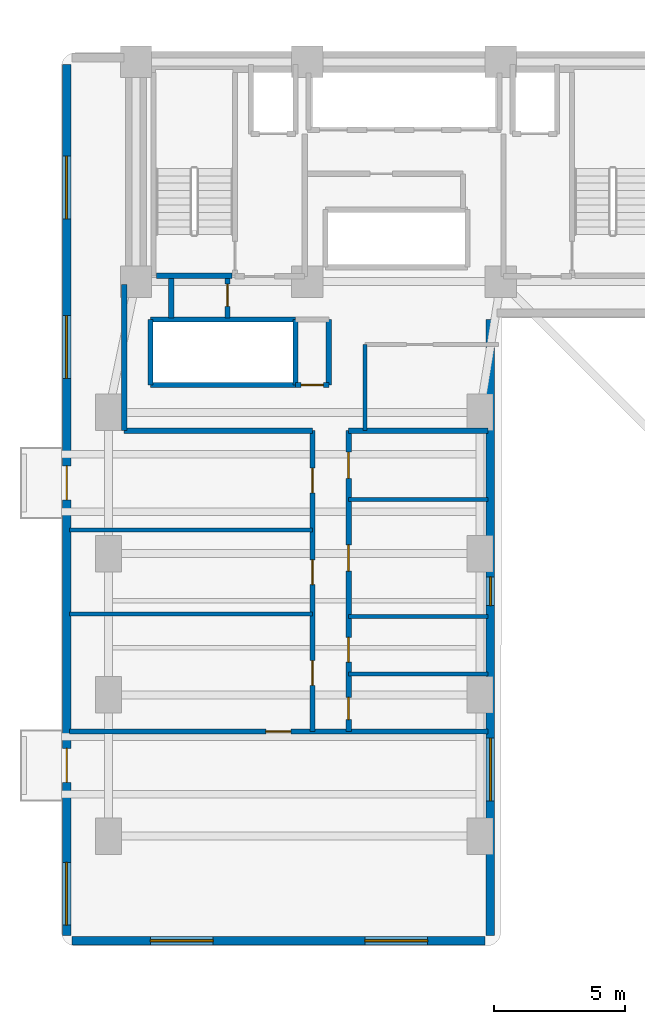
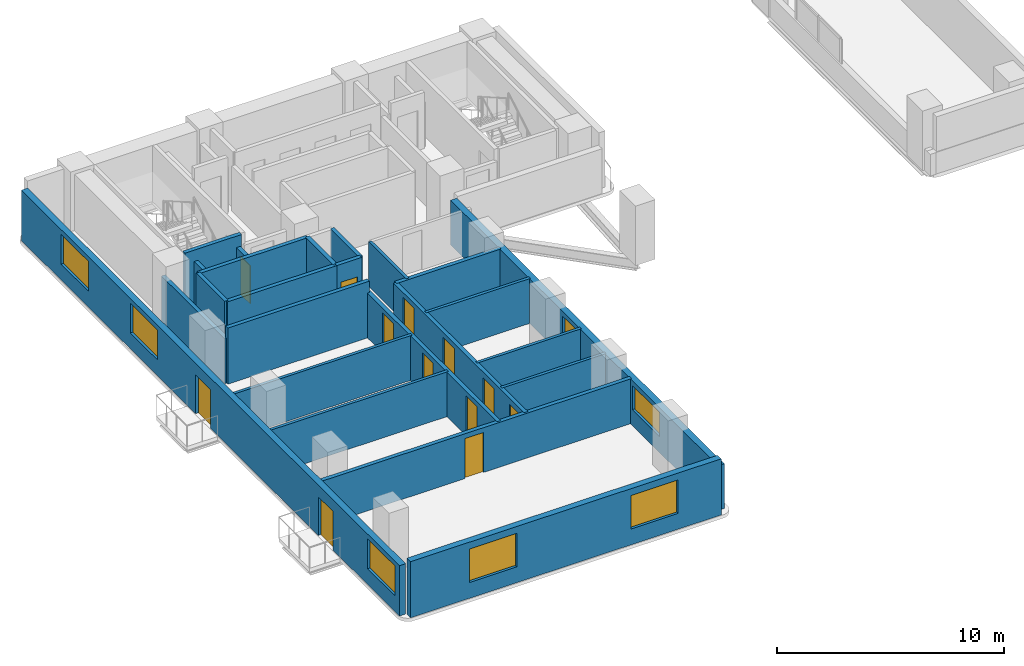
# One storey, part 6 of 12: 24 walls, 12 doors, 7 windows, 19 openings.
"""IFC4 building model written with IfcOpenShell, lengths in metres."""

from ifc_helpers import new_model, si_unit, direction, frame, frame_2d, origin, place, context, subcontext, project, spatial, rectangle, extrude, material, layer, layer_set, type_object, element, fill, save


model = new_model("IFC4")

# Units and contexts
model_context = context("Model", 3, precision=1e-05, world=origin(), true_north=direction((0.0, 1.0)))
body_context = subcontext(model_context, "Body", "Model", "MODEL_VIEW")
ifc_project = project(units=[si_unit("LENGTHUNIT", "METRE"), si_unit("AREAUNIT", "SQUARE_METRE"), si_unit("VOLUMEUNIT", "CUBIC_METRE"), si_unit("PLANEANGLEUNIT", "RADIAN"), si_unit("MASSUNIT", "GRAM", prefix="KILO")], contexts=[model_context])

# Site, building, storey
site_placement = place(None, origin())
site = spatial("IfcSite", under=ifc_project, at=site_placement, CompositionType="ELEMENT")
building_placement = place(site_placement, origin())
building = spatial("IfcBuilding", under=site, at=building_placement, Name="Kuzgunbayir Cultural Tower", CompositionType="ELEMENT")
storey_placement = place(building_placement, frame((0.0, 0.0, 30.199951171875)))
storey = spatial("IfcBuildingStorey", under=building, at=storey_placement, Name="L07", CompositionType="ELEMENT", Elevation=30.199951171875)

# Wall, openings, windows
ifc_material_1 = material(Name="Travertine Buff Ashlar", Category="masonry")
ifc_layer_1 = layer(ifc_material_1, 0.320068359375)
ifc_layer_set_1 = layer_set([ifc_layer_1], Name="Travertine Buff Ashlar")
wall_type_1 = type_object("IfcWallType", Name="WAL-EXT-STONE-320", PredefinedType="STANDARD", material=ifc_layer_set_1)
wall_1_placement = place(storey_placement, frame((4.0, 8.60009765625, 0.0), z_axis=(0.0, 0.0, 1.0), x_axis=(1.0, 0.0, 0.0)))
wall_1 = element("IfcWall", 1, at=wall_1_placement, inside=storey, type_object=wall_type_1, Name="L07 Wing A South Limestone Wall", PredefinedType="STANDARD", context=body_context, shape_type="SweptSolid", body=[
    extrude(rectangle(XDim=15.800048828125, YDim=0.320068359375, at=frame_2d((7.89990234375, 0.0))), origin(), (0.0, 0.0, 1.0), 3.02001953125),
])
opening_1_placement = place(wall_1_placement, frame((3.0, 0.0, 0.85009765625)))
opening_1 = element("IfcOpeningElement", 2, at=opening_1_placement, cuts=wall_1, Name="Opening WO-24", PredefinedType="OPENING", context=body_context, shape_type="SweptSolid", body=[
    extrude(rectangle(XDim=2.39990234375, YDim=1.800048828125, at=frame_2d((1.199951171875, 0.89990234375))), frame((0.0, 0.169921875, 0.0), z_axis=(0.0, -1.0, 0.0), x_axis=(1.0, 0.0, 0.0)), (0.0, 0.0, 1.0), 0.340087890625),
])
opening_2_placement = place(wall_1_placement, frame((11.199951171875, 0.0, 0.85009765625)))
opening_2 = element("IfcOpeningElement", 3, at=opening_2_placement, cuts=wall_1, Name="Opening WO-24", PredefinedType="OPENING", context=body_context, shape_type="SweptSolid", body=[
    extrude(rectangle(XDim=2.39990234375, YDim=1.800048828125, at=frame_2d((1.199951171875, 0.89990234375))), frame((0.0, 0.169921875, 0.0), z_axis=(0.0, -1.0, 0.0), x_axis=(1.0, 0.0, 0.0)), (0.0, 0.0, 1.0), 0.340087890625),
])
ifc_material_2 = material(Name="Solar-Control Triple Glazing", Category="glass")
window_type_1 = type_object("IfcWindowType", Name="WIN-OFFICE-24", PartitioningType="SINGLE_PANEL", PredefinedType="WINDOW", material=ifc_material_2)
window_1_placement = place(opening_1_placement, origin())
window_1 = element("IfcWindow", 4, at=window_1_placement, inside=storey, type_object=window_type_1, Name="L07 WAS Facade Window 6", OverallHeight=1.800048828125, OverallWidth=2.39990234375, PartitioningType="SINGLE_PANEL", PredefinedType="WINDOW", context=body_context, shape_type="SweptSolid", body=[
    extrude(rectangle(XDim=2.39990234375, YDim=1.800048828125, at=frame_2d((1.199951171875, 0.89990234375))), frame((0.0, 0.030029296875, 0.0), z_axis=(0.0, -1.0, 0.0), x_axis=(1.0, 0.0, 0.0)), (0.0, 0.0, 1.0), 0.06005859375),
])
fill(opening_1, window_1)
window_2_placement = place(opening_2_placement, origin())
window_2 = element("IfcWindow", 5, at=window_2_placement, inside=storey, type_object=window_type_1, Name="L07 WAS Facade Window 7", OverallHeight=1.800048828125, OverallWidth=2.39990234375, PartitioningType="SINGLE_PANEL", PredefinedType="WINDOW", context=body_context, shape_type="SweptSolid", body=[
    extrude(rectangle(XDim=2.39990234375, YDim=1.800048828125, at=frame_2d((1.199951171875, 0.89990234375))), frame((0.0, 0.030029296875, 0.0), z_axis=(0.0, -1.0, 0.0), x_axis=(1.0, 0.0, 0.0)), (0.0, 0.0, 1.0), 0.06005859375),
])
fill(opening_2, window_2)

# Wall, openings, doors, windows
wall_2_placement = place(storey_placement, frame((3.800048828125, 42.10009765625, 0.0), z_axis=(0.0, 0.0, 1.0), x_axis=(0.0, -1.0, 0.0)))
wall_2 = element("IfcWall", 6, at=wall_2_placement, inside=storey, type_object=wall_type_1, Name="L07 Wing A West Limestone Wall", PredefinedType="STANDARD", context=body_context, shape_type="SweptSolid", body=[
    extrude(rectangle(XDim=33.300048828125, YDim=0.320068359375, at=frame_2d((16.64990234375, 0.0))), origin(), (0.0, 0.0, 1.0), 2.7099609375),
])
opening_3_placement = place(wall_2_placement, frame((26.14990234375, 0.0, 0.0)))
opening_3 = element("IfcOpeningElement", 7, at=opening_3_placement, cuts=wall_2, Name="Opening BD-13", PredefinedType="OPENING", context=body_context, shape_type="SweptSolid", body=[
    extrude(rectangle(XDim=1.300048828125, YDim=2.080078125, at=frame_2d((0.64990234375, 1.0400390625))), frame((0.0, 0.169921875, 0.0), z_axis=(0.0, -1.0, 0.0), x_axis=(1.0, 0.0, 0.0)), (0.0, 0.0, 1.0), 0.340087890625),
])
opening_4_placement = place(wall_2_placement, frame((15.35009765625, 0.0, 0.0)))
opening_4 = element("IfcOpeningElement", 8, at=opening_4_placement, cuts=wall_2, Name="Opening BD-13", PredefinedType="OPENING", context=body_context, shape_type="SweptSolid", body=[
    extrude(rectangle(XDim=1.300048828125, YDim=2.080078125, at=frame_2d((0.64990234375, 1.0400390625))), frame((0.0, 0.169921875, 0.0), z_axis=(0.0, -1.0, 0.0), x_axis=(1.0, 0.0, 0.0)), (0.0, 0.0, 1.0), 0.340087890625),
])
opening_5_placement = place(wall_2_placement, frame((30.5, 0.0, 0.85009765625)))
opening_5 = element("IfcOpeningElement", 9, at=opening_5_placement, cuts=wall_2, Name="Opening WO-24", PredefinedType="OPENING", context=body_context, shape_type="SweptSolid", body=[
    extrude(rectangle(XDim=2.39990234375, YDim=1.610107421875, at=frame_2d((1.199951171875, 0.80517578125))), frame((0.0, 0.169921875, 0.0), z_axis=(0.0, -1.0, 0.0), x_axis=(1.0, 0.0, 0.0)), (0.0, 0.0, 1.0), 0.340087890625),
])
opening_6_placement = place(wall_2_placement, frame((9.60009765625, 0.0, 0.85009765625)))
opening_6 = element("IfcOpeningElement", 10, at=opening_6_placement, cuts=wall_2, Name="Opening WO-24", PredefinedType="OPENING", context=body_context, shape_type="SweptSolid", body=[
    extrude(rectangle(XDim=2.39990234375, YDim=1.610107421875, at=frame_2d((1.199951171875, 0.80517578125))), frame((0.0, 0.169921875, 0.0), z_axis=(0.0, -1.0, 0.0), x_axis=(1.0, 0.0, 0.0)), (0.0, 0.0, 1.0), 0.340087890625),
])
opening_7_placement = place(wall_2_placement, frame((3.5, 0.0, 0.85009765625)))
opening_7 = element("IfcOpeningElement", 11, at=opening_7_placement, cuts=wall_2, Name="Opening WO-24", PredefinedType="OPENING", context=body_context, shape_type="SweptSolid", body=[
    extrude(rectangle(XDim=2.39990234375, YDim=1.610107421875, at=frame_2d((1.199951171875, 0.80517578125))), frame((0.0, 0.169921875, 0.0), z_axis=(0.0, -1.0, 0.0), x_axis=(1.0, 0.0, 0.0)), (0.0, 0.0, 1.0), 0.340087890625),
])
ifc_material_3 = material(Name="Thermally Broken Glazed Aluminium", Category="aluminium")
door_type_1 = type_object("IfcDoorType", Name="DR-BALCONY-135", OperationType="SLIDING_TO_LEFT", PredefinedType="DOOR", material=ifc_material_3)
door_1_placement = place(opening_3_placement, origin())
door_1 = element("IfcDoor", 12, at=door_1_placement, inside=storey, type_object=door_type_1, Name="L07 West Balcony Sliding Door BAL-L07-WA1", OperationType="SLIDING_TO_LEFT", OverallHeight=2.080078125, OverallWidth=1.300048828125, PredefinedType="DOOR", context=body_context, shape_type="SweptSolid", body=[
    extrude(rectangle(XDim=1.300048828125, YDim=2.080078125, at=frame_2d((0.64990234375, 1.0400390625))), frame((0.0, 0.02490234375, 0.0), z_axis=(0.0, -1.0, 0.0), x_axis=(1.0, 0.0, 0.0)), (0.0, 0.0, 1.0), 0.050048828125),
])
fill(opening_3, door_1)
door_2_placement = place(opening_4_placement, origin())
door_2 = element("IfcDoor", 13, at=door_2_placement, inside=storey, type_object=door_type_1, Name="L07 West Balcony Sliding Door BAL-L07-WA3", OperationType="SLIDING_TO_LEFT", OverallHeight=2.080078125, OverallWidth=1.300048828125, PredefinedType="DOOR", context=body_context, shape_type="SweptSolid", body=[
    extrude(rectangle(XDim=1.300048828125, YDim=2.080078125, at=frame_2d((0.64990234375, 1.0400390625))), frame((0.0, 0.02490234375, 0.0), z_axis=(0.0, -1.0, 0.0), x_axis=(1.0, 0.0, 0.0)), (0.0, 0.0, 1.0), 0.050048828125),
])
fill(opening_4, door_2)
window_3_placement = place(opening_5_placement, origin())
window_3 = element("IfcWindow", 14, at=window_3_placement, inside=storey, type_object=window_type_1, Name="L07 WAW Facade Window 2", OverallHeight=1.610107421875, OverallWidth=2.39990234375, PartitioningType="SINGLE_PANEL", PredefinedType="WINDOW", context=body_context, shape_type="SweptSolid", body=[
    extrude(rectangle(XDim=2.39990234375, YDim=1.610107421875, at=frame_2d((1.199951171875, 0.80517578125))), frame((0.0, 0.030029296875, 0.0), z_axis=(0.0, -1.0, 0.0), x_axis=(1.0, 0.0, 0.0)), (0.0, 0.0, 1.0), 0.06005859375),
])
fill(opening_5, window_3)
window_4_placement = place(opening_6_placement, origin())
window_4 = element("IfcWindow", 15, at=window_4_placement, inside=storey, type_object=window_type_1, Name="L07 WAW Facade Window 3", OverallHeight=1.610107421875, OverallWidth=2.39990234375, PartitioningType="SINGLE_PANEL", PredefinedType="WINDOW", context=body_context, shape_type="SweptSolid", body=[
    extrude(rectangle(XDim=2.39990234375, YDim=1.610107421875, at=frame_2d((1.199951171875, 0.80517578125))), frame((0.0, 0.030029296875, 0.0), z_axis=(0.0, -1.0, 0.0), x_axis=(1.0, 0.0, 0.0)), (0.0, 0.0, 1.0), 0.06005859375),
])
fill(opening_6, window_4)
window_5_placement = place(opening_7_placement, origin())
window_5 = element("IfcWindow", 16, at=window_5_placement, inside=storey, type_object=window_type_1, Name="L07 WAW Facade Window 4", OverallHeight=1.610107421875, OverallWidth=2.39990234375, PartitioningType="SINGLE_PANEL", PredefinedType="WINDOW", context=body_context, shape_type="SweptSolid", body=[
    extrude(rectangle(XDim=2.39990234375, YDim=1.610107421875, at=frame_2d((1.199951171875, 0.80517578125))), frame((0.0, 0.030029296875, 0.0), z_axis=(0.0, -1.0, 0.0), x_axis=(1.0, 0.0, 0.0)), (0.0, 0.0, 1.0), 0.06005859375),
])
fill(opening_7, window_5)

# Wall, openings, windows
wall_3_placement = place(storey_placement, frame((20.0, 8.800048828125, 0.0), z_axis=(0.0, 0.0, 1.0), x_axis=(0.0, 1.0, 0.0)))
wall_3 = element("IfcWall", 17, at=wall_3_placement, inside=storey, type_object=wall_type_1, Name="L07 Wing A East Limestone Wall", PredefinedType="STANDARD", context=body_context, shape_type="SweptSolid", body=[
    extrude(rectangle(XDim=23.550048828125, YDim=0.320068359375, at=frame_2d((11.77490234375, 0.0))), origin(), (0.0, 0.0, 1.0), 2.41015625),
])
opening_8_placement = place(wall_3_placement, frame((12.610107421875, 0.0, 0.85009765625)))
opening_8 = element("IfcOpeningElement", 18, at=opening_8_placement, cuts=wall_3, Name="Opening WN-11", PredefinedType="OPENING", context=body_context, shape_type="SweptSolid", body=[
    extrude(rectangle(XDim=1.10009765625, YDim=1.31005859375, at=frame_2d((0.550048828125, 0.655029296875))), frame((0.0, 0.169921875, 0.0), z_axis=(0.0, -1.0, 0.0), x_axis=(1.0, 0.0, 0.0)), (0.0, 0.0, 1.0), 0.340087890625),
])
opening_9_placement = place(wall_3_placement, frame((5.14990234375, 0.0, 0.85009765625)))
opening_9 = element("IfcOpeningElement", 19, at=opening_9_placement, cuts=wall_3, Name="Opening WO-24", PredefinedType="OPENING", context=body_context, shape_type="SweptSolid", body=[
    extrude(rectangle(XDim=2.39990234375, YDim=1.31005859375, at=frame_2d((1.199951171875, 0.655029296875))), frame((0.0, 0.169921875, 0.0), z_axis=(0.0, -1.0, 0.0), x_axis=(1.0, 0.0, 0.0)), (0.0, 0.0, 1.0), 0.340087890625),
])
window_type_2 = type_object("IfcWindowType", Name="WIN-NARROW-11", PartitioningType="SINGLE_PANEL", PredefinedType="WINDOW", material=ifc_material_2)
window_6_placement = place(opening_8_placement, origin())
window_6 = element("IfcWindow", 20, at=window_6_placement, inside=storey, type_object=window_type_2, Name="L07 WAE Facade Window 1", OverallHeight=1.31005859375, OverallWidth=1.10009765625, PartitioningType="SINGLE_PANEL", PredefinedType="WINDOW", context=body_context, shape_type="SweptSolid", body=[
    extrude(rectangle(XDim=1.10009765625, YDim=1.31005859375, at=frame_2d((0.550048828125, 0.655029296875))), frame((0.0, 0.030029296875, 0.0), z_axis=(0.0, -1.0, 0.0), x_axis=(1.0, 0.0, 0.0)), (0.0, 0.0, 1.0), 0.06005859375),
])
fill(opening_8, window_6)
window_7_placement = place(opening_9_placement, origin())
window_7 = element("IfcWindow", 21, at=window_7_placement, inside=storey, type_object=window_type_1, Name="L07 WAE Facade Window 5", OverallHeight=1.31005859375, OverallWidth=2.39990234375, PartitioningType="SINGLE_PANEL", PredefinedType="WINDOW", context=body_context, shape_type="SweptSolid", body=[
    extrude(rectangle(XDim=2.39990234375, YDim=1.31005859375, at=frame_2d((1.199951171875, 0.655029296875))), frame((0.0, 0.030029296875, 0.0), z_axis=(0.0, -1.0, 0.0), x_axis=(1.0, 0.0, 0.0)), (0.0, 0.0, 1.0), 0.06005859375),
])
fill(opening_9, window_7)

# Walls
ifc_material_4 = material(Name="Acoustic Double-Stud Drywall", Category="gypsum")
ifc_layer_2 = layer(ifc_material_4, 0.14990234375)
ifc_layer_set_2 = layer_set([ifc_layer_2], Name="Acoustic Double-Stud Drywall")
wall_type_2 = type_object("IfcWallType", Name="WAL-PART-ACOUSTIC-150", PredefinedType="PARTITIONING", material=ifc_layer_set_2)
wall_4_placement = place(storey_placement, frame((15.199951171875, 28.10009765625, 0.0), z_axis=(0.0, 0.0, 1.0), x_axis=(0.0, 1.0, 0.0)))
element("IfcWall", 22, at=wall_4_placement, inside=storey, type_object=wall_type_2, Name="L07 Central Sky Salon West Wall", PredefinedType="PARTITIONING", context=body_context, shape_type="SweptSolid", body=[
    extrude(rectangle(XDim=3.2998046875, YDim=0.14990234375, at=frame_2d((1.64990234375, 0.0))), origin(), (0.0, 0.0, 1.0), 2.41015625),
])
for number, where, z_axis, x_axis, name in (
    (23, (3.89990234375, 21.090087890625, 0.0), (0.0, 0.0, 1.0), (1.0, 0.0, 0.0), "L07 West Suite Partition 1"),
    (24, (3.89990234375, 24.300048828125, 0.0), (0.0, 0.0, 1.0), (1.0, 0.0, 0.0), "L07 West Suite Partition 2"),
):
    element("IfcWall", number, at=place(storey_placement, frame(where, z_axis=z_axis, x_axis=x_axis)), inside=storey, type_object=wall_type_2, Name=name, PredefinedType="PARTITIONING", context=body_context, shape_type="SweptSolid", body=[
        extrude(rectangle(XDim=9.300048828125, YDim=0.14990234375, at=frame_2d((4.64990234375, 0.0))), origin(), (0.0, 0.0, 1.0), 2.41015625),
    ])
wall_5_placement = place(storey_placement, frame((14.580078125, 25.469970703125, 0.0), z_axis=(0.0, 0.0, 1.0), x_axis=(1.0, 0.0, 0.0)))
element("IfcWall", 25, at=wall_5_placement, inside=storey, type_object=wall_type_2, Name="L07 East Studio Divider 1", PredefinedType="PARTITIONING", context=body_context, shape_type="SweptSolid", body=[
    extrude(rectangle(XDim=5.31982421875, YDim=0.14990234375, at=frame_2d((2.659912109375, 0.0))), origin(), (0.0, 0.0, 1.0), 2.41015625),
])

# Wall, opening, door
ifc_material_5 = material(Name="Aerated Concrete Blockwork", Category="masonry")
ifc_layer_3 = layer(ifc_material_5, 0.199951171875)
ifc_layer_set_3 = layer_set([ifc_layer_3], Name="Aerated Concrete Blockwork")
wall_type_3 = type_object("IfcWallType", Name="WAL-PART-FIRE-200", PredefinedType="PARTITIONING", material=ifc_layer_set_3)
wall_6_placement = place(storey_placement, frame((12.550048828125, 29.85009765625, 0.0), z_axis=(0.0, 0.0, 1.0), x_axis=(1.0, 0.0, 0.0)))
wall_6 = element("IfcWall", 26, at=wall_6_placement, inside=storey, type_object=wall_type_3, Name="L07 Center Core Switchgear South Wall", PredefinedType="PARTITIONING", context=body_context, shape_type="SweptSolid", body=[
    extrude(rectangle(XDim=1.27001953125, YDim=0.199951171875, at=frame_2d((0.635009765625, 0.0))), origin(), (0.0, 0.0, 1.0), 3.02001953125),
])
opening_10_placement = place(wall_6_placement, frame((0.2099609375, 0.0, 0.0)))
opening_10 = element("IfcOpeningElement", 27, at=opening_10_placement, cuts=wall_6, Name="Opening DR-RSR-60", PredefinedType="OPENING", context=body_context, shape_type="SweptSolid", body=[
    extrude(rectangle(XDim=0.85009765625, YDim=2.050048828125, at=frame_2d((0.425048828125, 1.02490234375))), frame((0.0, 0.10986328125, 0.0), z_axis=(0.0, -1.0, 0.0), x_axis=(1.0, 0.0, 0.0)), (0.0, 0.0, 1.0), 0.219970703125),
])
ifc_material_6 = material(Name="Steel Access Leaf", Category="steel")
door_type_2 = type_object("IfcDoorType", Name="DR-RISER-60", OperationType="NOTDEFINED", PredefinedType="DOOR", material=ifc_material_6)
door_3_placement = place(opening_10_placement, origin())
door_3 = element("IfcDoor", 28, at=door_3_placement, inside=storey, type_object=door_type_2, Name="L07 Electrical Switchgear Closet Door", OperationType="SINGLE_SWING_LEFT", OverallHeight=2.050048828125, OverallWidth=0.85009765625, PredefinedType="DOOR", context=body_context, shape_type="SweptSolid", body=[
    extrude(rectangle(XDim=0.85009765625, YDim=2.050048828125, at=frame_2d((0.425048828125, 1.02490234375))), frame((0.0, 0.02490234375, 0.0), z_axis=(0.0, -1.0, 0.0), x_axis=(1.0, 0.0, 0.0)), (0.0, 0.0, 1.0), 0.050048828125),
])
fill(opening_10, door_3)

# Walls
wall_7_placement = place(storey_placement, frame((13.820068359375, 29.85009765625, 0.0), z_axis=(0.0, 0.0, 1.0), x_axis=(0.0, 1.0, 0.0)))
element("IfcWall", 29, at=wall_7_placement, inside=storey, type_object=wall_type_3, Name="L07 Center Core Switchgear East Wall", PredefinedType="PARTITIONING", context=body_context, shape_type="SweptSolid", body=[
    extrude(rectangle(XDim=2.5, YDim=0.199951171875, at=frame_2d((1.25, 0.0))), origin(), (0.0, 0.0, 1.0), 3.02001953125),
])
wall_8_placement = place(storey_placement, frame((7.800048828125, 32.39990234375, 0.0), z_axis=(0.0, 0.0, 1.0), x_axis=(0.0, 1.0, 0.0)))
element("IfcWall", 30, at=wall_8_placement, inside=storey, type_object=wall_type_3, Name="L07 West Core Electrical Closet West Wall", PredefinedType="PARTITIONING", context=body_context, shape_type="SweptSolid", body=[
    extrude(rectangle(XDim=1.52001953125, YDim=0.199951171875, at=frame_2d((0.760009765625, 0.0))), origin(), (0.0, 0.0, 1.0), 2.41015625),
])

# Wall, opening, door
wall_9_placement = place(storey_placement, frame((9.949951171875, 32.39990234375, 0.0), z_axis=(0.0, 0.0, 1.0), x_axis=(0.0, 1.0, 0.0)))
wall_9 = element("IfcWall", 31, at=wall_9_placement, inside=storey, type_object=wall_type_3, Name="L07 West Core Electrical Closet East Wall", PredefinedType="PARTITIONING", context=body_context, shape_type="SweptSolid", body=[
    extrude(rectangle(XDim=1.52001953125, YDim=0.199951171875, at=frame_2d((0.760009765625, 0.0))), origin(), (0.0, 0.0, 1.0), 2.41015625),
])
opening_11_placement = place(wall_9_placement, frame((0.449951171875, 0.0, 0.0)))
opening_11 = element("IfcOpeningElement", 32, at=opening_11_placement, cuts=wall_9, Name="Opening DR-RSR-60", PredefinedType="OPENING", context=body_context, shape_type="SweptSolid", body=[
    extrude(rectangle(XDim=0.85009765625, YDim=2.050048828125, at=frame_2d((0.425048828125, 1.02490234375))), frame((0.0, 0.10986328125, 0.0), z_axis=(0.0, -1.0, 0.0), x_axis=(1.0, 0.0, 0.0)), (0.0, 0.0, 1.0), 0.219970703125),
])
door_4_placement = place(opening_11_placement, origin())
door_4 = element("IfcDoor", 33, at=door_4_placement, inside=storey, type_object=door_type_2, Name="L07 West Core Switchgear Closet Door", OperationType="SINGLE_SWING_RIGHT", OverallHeight=2.050048828125, OverallWidth=0.85009765625, PredefinedType="DOOR", context=body_context, shape_type="SweptSolid", body=[
    extrude(rectangle(XDim=0.85009765625, YDim=2.050048828125, at=frame_2d((0.425048828125, 1.02490234375))), frame((0.0, 0.02490234375, 0.0), z_axis=(0.0, -1.0, 0.0), x_axis=(1.0, 0.0, 0.0)), (0.0, 0.0, 1.0), 0.050048828125),
])
fill(opening_11, door_4)

# Wall, openings, doors
wall_10_placement = place(storey_placement, frame((13.199951171875, 16.60009765625, 0.0), z_axis=(0.0, 0.0, 1.0), x_axis=(0.0, 1.0, 0.0)))
wall_10 = element("IfcWall", 34, at=wall_10_placement, inside=storey, type_object=wall_type_3, Name="L07 Wing A West Corridor Wall", PredefinedType="PARTITIONING", context=body_context, shape_type="SweptSolid", body=[
    extrude(rectangle(XDim=11.5, YDim=0.199951171875, at=frame_2d((5.75, 0.0))), origin(), (0.0, 0.0, 1.0), 2.41015625),
])
opening_12_placement = place(wall_10_placement, frame((1.760009765625, 0.0, 0.0)))
opening_12 = element("IfcOpeningElement", 35, at=opening_12_placement, cuts=wall_10, Name="Opening DI-90", PredefinedType="OPENING", context=body_context, shape_type="SweptSolid", body=[
    extrude(rectangle(XDim=0.949951171875, YDim=2.14990234375, at=frame_2d((0.47509765625, 1.074951171875))), frame((0.0, 0.10986328125, 0.0), z_axis=(0.0, -1.0, 0.0), x_axis=(1.0, 0.0, 0.0)), (0.0, 0.0, 1.0), 0.219970703125),
])
opening_13_placement = place(wall_10_placement, frame((5.610107421875, 0.0, 0.0)))
opening_13 = element("IfcOpeningElement", 36, at=opening_13_placement, cuts=wall_10, Name="Opening DI-90", PredefinedType="OPENING", context=body_context, shape_type="SweptSolid", body=[
    extrude(rectangle(XDim=0.949951171875, YDim=2.14990234375, at=frame_2d((0.47509765625, 1.074951171875))), frame((0.0, 0.10986328125, 0.0), z_axis=(0.0, -1.0, 0.0), x_axis=(1.0, 0.0, 0.0)), (0.0, 0.0, 1.0), 0.219970703125),
])
opening_14_placement = place(wall_10_placement, frame((9.1201171875, 0.0, 0.0)))
opening_14 = element("IfcOpeningElement", 37, at=opening_14_placement, cuts=wall_10, Name="Opening DI-90", PredefinedType="OPENING", context=body_context, shape_type="SweptSolid", body=[
    extrude(rectangle(XDim=0.949951171875, YDim=2.14990234375, at=frame_2d((0.47509765625, 1.074951171875))), frame((0.0, 0.10986328125, 0.0), z_axis=(0.0, -1.0, 0.0), x_axis=(1.0, 0.0, 0.0)), (0.0, 0.0, 1.0), 0.219970703125),
])
ifc_material_7 = material(Name="Veneered Oak Single Leaf", Category="wood")
door_type_3 = type_object("IfcDoorType", Name="DR-INT-90", OperationType="NOTDEFINED", PredefinedType="DOOR", material=ifc_material_7)
door_5_placement = place(opening_12_placement, origin())
door_5 = element("IfcDoor", 38, at=door_5_placement, inside=storey, type_object=door_type_3, Name="L07 Seminar Boardroom W1 Door", OperationType="SINGLE_SWING_RIGHT", OverallHeight=2.14990234375, OverallWidth=0.949951171875, PredefinedType="DOOR", context=body_context, shape_type="SweptSolid", body=[
    extrude(rectangle(XDim=0.949951171875, YDim=2.14990234375, at=frame_2d((0.47509765625, 1.074951171875))), frame((0.0, 0.02490234375, 0.0), z_axis=(0.0, -1.0, 0.0), x_axis=(1.0, 0.0, 0.0)), (0.0, 0.0, 1.0), 0.050048828125),
])
fill(opening_12, door_5)
door_6_placement = place(opening_13_placement, origin())
door_6 = element("IfcDoor", 39, at=door_6_placement, inside=storey, type_object=door_type_3, Name="L07 Seminar Boardroom W2 Door", OperationType="SINGLE_SWING_LEFT", OverallHeight=2.14990234375, OverallWidth=0.949951171875, PredefinedType="DOOR", context=body_context, shape_type="SweptSolid", body=[
    extrude(rectangle(XDim=0.949951171875, YDim=2.14990234375, at=frame_2d((0.47509765625, 1.074951171875))), frame((0.0, 0.02490234375, 0.0), z_axis=(0.0, -1.0, 0.0), x_axis=(1.0, 0.0, 0.0)), (0.0, 0.0, 1.0), 0.050048828125),
])
fill(opening_13, door_6)
door_7_placement = place(opening_14_placement, origin())
door_7 = element("IfcDoor", 40, at=door_7_placement, inside=storey, type_object=door_type_3, Name="L07 Art Publication Salon W3 Door", OperationType="SINGLE_SWING_RIGHT", OverallHeight=2.14990234375, OverallWidth=0.949951171875, PredefinedType="DOOR", context=body_context, shape_type="SweptSolid", body=[
    extrude(rectangle(XDim=0.949951171875, YDim=2.14990234375, at=frame_2d((0.47509765625, 1.074951171875))), frame((0.0, 0.02490234375, 0.0), z_axis=(0.0, -1.0, 0.0), x_axis=(1.0, 0.0, 0.0)), (0.0, 0.0, 1.0), 0.050048828125),
])
fill(opening_14, door_7)

wall_11_placement = place(storey_placement, frame((14.580078125, 16.60009765625, 0.0), z_axis=(0.0, 0.0, 1.0), x_axis=(0.0, 1.0, 0.0)))
wall_11 = element("IfcWall", 41, at=wall_11_placement, inside=storey, type_object=wall_type_3, Name="L07 Wing A East Corridor Wall", PredefinedType="PARTITIONING", context=body_context, shape_type="SweptSolid", body=[
    extrude(rectangle(XDim=11.5, YDim=0.199951171875, at=frame_2d((5.75, 0.0))), origin(), (0.0, 0.0, 1.0), 2.41015625),
])
opening_15_placement = place(wall_11_placement, frame((0.449951171875, 0.0, 0.0)))
opening_15 = element("IfcOpeningElement", 42, at=opening_15_placement, cuts=wall_11, Name="Opening DW-85", PredefinedType="OPENING", context=body_context, shape_type="SweptSolid", body=[
    extrude(rectangle(XDim=0.85009765625, YDim=2.10009765625, at=frame_2d((0.425048828125, 1.050048828125))), frame((0.0, 0.10986328125, 0.0), z_axis=(0.0, -1.0, 0.0), x_axis=(1.0, 0.0, 0.0)), (0.0, 0.0, 1.0), 0.219970703125),
])
opening_16_placement = place(wall_11_placement, frame((2.64990234375, 0.0, 0.0)))
opening_16 = element("IfcOpeningElement", 43, at=opening_16_placement, cuts=wall_11, Name="Opening DW-95", PredefinedType="OPENING", context=body_context, shape_type="SweptSolid", body=[
    extrude(rectangle(XDim=0.949951171875, YDim=2.10009765625, at=frame_2d((0.47509765625, 1.050048828125))), frame((0.0, 0.10986328125, 0.0), z_axis=(0.0, -1.0, 0.0), x_axis=(1.0, 0.0, 0.0)), (0.0, 0.0, 1.0), 0.219970703125),
])
opening_17_placement = place(wall_11_placement, frame((6.1298828125, 0.0, 0.0)))
opening_17 = element("IfcOpeningElement", 44, at=opening_17_placement, cuts=wall_11, Name="Opening DI-100", PredefinedType="OPENING", context=body_context, shape_type="SweptSolid", body=[
    extrude(rectangle(XDim=1.0, YDim=2.14990234375, at=frame_2d((0.5, 1.074951171875))), frame((0.0, 0.10986328125, 0.0), z_axis=(0.0, -1.0, 0.0), x_axis=(1.0, 0.0, 0.0)), (0.0, 0.0, 1.0), 0.219970703125),
])
opening_18_placement = place(wall_11_placement, frame((9.679931640625, 0.0, 0.0)))
opening_18 = element("IfcOpeningElement", 45, at=opening_18_placement, cuts=wall_11, Name="Opening DI-100", PredefinedType="OPENING", context=body_context, shape_type="SweptSolid", body=[
    extrude(rectangle(XDim=1.0, YDim=2.14990234375, at=frame_2d((0.5, 1.074951171875))), frame((0.0, 0.10986328125, 0.0), z_axis=(0.0, -1.0, 0.0), x_axis=(1.0, 0.0, 0.0)), (0.0, 0.0, 1.0), 0.219970703125),
])
door_type_4 = type_object("IfcDoorType", Name="DR-INT-100", OperationType="NOTDEFINED", PredefinedType="DOOR", material=ifc_material_7)
door_8_placement = place(opening_17_placement, origin())
door_8 = element("IfcDoor", 46, at=door_8_placement, inside=storey, type_object=door_type_4, Name="L07 East Wellness Consultation Studio 1 Door", OperationType="SINGLE_SWING_RIGHT", OverallHeight=2.14990234375, OverallWidth=1.0, PredefinedType="DOOR", context=body_context, shape_type="SweptSolid", body=[
    extrude(rectangle(XDim=1.0, YDim=2.14990234375, at=frame_2d((0.5, 1.074951171875))), frame((0.0, 0.02490234375, 0.0), z_axis=(0.0, -1.0, 0.0), x_axis=(1.0, 0.0, 0.0)), (0.0, 0.0, 1.0), 0.050048828125),
])
fill(opening_17, door_8)
door_9_placement = place(opening_18_placement, origin())
door_9 = element("IfcDoor", 47, at=door_9_placement, inside=storey, type_object=door_type_4, Name="L07 East Art Publication Salon 2 Door", OperationType="SINGLE_SWING_LEFT", OverallHeight=2.14990234375, OverallWidth=1.0, PredefinedType="DOOR", context=body_context, shape_type="SweptSolid", body=[
    extrude(rectangle(XDim=1.0, YDim=2.14990234375, at=frame_2d((0.5, 1.074951171875))), frame((0.0, 0.02490234375, 0.0), z_axis=(0.0, -1.0, 0.0), x_axis=(1.0, 0.0, 0.0)), (0.0, 0.0, 1.0), 0.050048828125),
])
fill(opening_18, door_9)
ifc_material_8 = material(Name="Laminate Moisture-Resistant Leaf", Category="wood")
door_type_5 = type_object("IfcDoorType", Name="DR-WET-85", OperationType="NOTDEFINED", PredefinedType="DOOR", material=ifc_material_8)
door_10_placement = place(opening_15_placement, origin())
door_10 = element("IfcDoor", 48, at=door_10_placement, inside=storey, type_object=door_type_5, Name="L07 Restroom Door", OperationType="SINGLE_SWING_RIGHT", OverallHeight=2.10009765625, OverallWidth=0.85009765625, PredefinedType="DOOR", context=body_context, shape_type="SweptSolid", body=[
    extrude(rectangle(XDim=0.85009765625, YDim=2.10009765625, at=frame_2d((0.425048828125, 1.050048828125))), frame((0.0, 0.02490234375, 0.0), z_axis=(0.0, -1.0, 0.0), x_axis=(1.0, 0.0, 0.0)), (0.0, 0.0, 1.0), 0.050048828125),
])
fill(opening_15, door_10)
door_type_6 = type_object("IfcDoorType", Name="DR-WET-95", OperationType="NOTDEFINED", PredefinedType="DOOR", material=ifc_material_8)
door_11_placement = place(opening_16_placement, origin())
door_11 = element("IfcDoor", 49, at=door_11_placement, inside=storey, type_object=door_type_6, Name="L07 Accessible WC Door", OperationType="SINGLE_SWING_LEFT", OverallHeight=2.10009765625, OverallWidth=0.949951171875, PredefinedType="DOOR", context=body_context, shape_type="SweptSolid", body=[
    extrude(rectangle(XDim=0.949951171875, YDim=2.10009765625, at=frame_2d((0.47509765625, 1.050048828125))), frame((0.0, 0.02490234375, 0.0), z_axis=(0.0, -1.0, 0.0), x_axis=(1.0, 0.0, 0.0)), (0.0, 0.0, 1.0), 0.050048828125),
])
fill(opening_16, door_11)

# Wall, opening, door
wall_12_placement = place(storey_placement, frame((3.89990234375, 16.60009765625, 0.0), z_axis=(0.0, 0.0, 1.0), x_axis=(1.0, 0.0, 0.0)))
wall_12 = element("IfcWall", 50, at=wall_12_placement, inside=storey, type_object=wall_type_3, Name="L07 South Cross Partition", PredefinedType="PARTITIONING", context=body_context, shape_type="SweptSolid", body=[
    extrude(rectangle(XDim=16.0, YDim=0.199951171875, at=frame_2d((8.0, 0.0))), origin(), (0.0, 0.0, 1.0), 2.41015625),
])
opening_19_placement = place(wall_12_placement, frame((7.52001953125, 0.0, 0.0)))
opening_19 = element("IfcOpeningElement", 51, at=opening_19_placement, cuts=wall_12, Name="Opening DI-90", PredefinedType="OPENING", context=body_context, shape_type="SweptSolid", body=[
    extrude(rectangle(XDim=0.949951171875, YDim=2.14990234375, at=frame_2d((0.47509765625, 1.074951171875))), frame((0.0, 0.10986328125, 0.0), z_axis=(0.0, -1.0, 0.0), x_axis=(1.0, 0.0, 0.0)), (0.0, 0.0, 1.0), 0.219970703125),
])
door_12_placement = place(opening_19_placement, origin())
door_12 = element("IfcDoor", 52, at=door_12_placement, inside=storey, type_object=door_type_3, Name="L07 South Suite S1 Door", OperationType="SINGLE_SWING_LEFT", OverallHeight=2.14990234375, OverallWidth=0.949951171875, PredefinedType="DOOR", context=body_context, shape_type="SweptSolid", body=[
    extrude(rectangle(XDim=0.949951171875, YDim=2.14990234375, at=frame_2d((0.47509765625, 1.074951171875))), frame((0.0, 0.02490234375, 0.0), z_axis=(0.0, -1.0, 0.0), x_axis=(1.0, 0.0, 0.0)), (0.0, 0.0, 1.0), 0.050048828125),
])
fill(opening_19, door_12)

# Walls
wall_13_placement = place(storey_placement, frame((6.0, 28.10009765625, 0.0), z_axis=(0.0, 0.0, 1.0), x_axis=(1.0, 0.0, 0.0)))
element("IfcWall", 53, at=wall_13_placement, inside=storey, type_object=wall_type_3, Name="L07 North West Partition", PredefinedType="PARTITIONING", context=body_context, shape_type="SweptSolid", body=[
    extrude(rectangle(XDim=7.199951171875, YDim=0.199951171875, at=frame_2d((3.60009765625, 0.0))), origin(), (0.0, 0.0, 1.0), 3.02001953125),
])
wall_14_placement = place(storey_placement, frame((6.0, 28.10009765625, 0.0), z_axis=(0.0, 0.0, 1.0), x_axis=(0.0, 1.0, 0.0)))
element("IfcWall", 54, at=wall_14_placement, inside=storey, type_object=wall_type_3, Name="L07 North West Gallery Wing Wall", PredefinedType="PARTITIONING", context=body_context, shape_type="SweptSolid", body=[
    extrude(rectangle(XDim=5.579833984375, YDim=0.199951171875, at=frame_2d((2.7900390625, 0.0))), origin(), (0.0, 0.0, 1.0), 2.41015625),
])
wall_15_placement = place(storey_placement, frame((14.580078125, 28.10009765625, 0.0), z_axis=(0.0, 0.0, 1.0), x_axis=(1.0, 0.0, 0.0)))
element("IfcWall", 55, at=wall_15_placement, inside=storey, type_object=wall_type_3, Name="L07 North East Partition", PredefinedType="PARTITIONING", context=body_context, shape_type="SweptSolid", body=[
    extrude(rectangle(XDim=5.31982421875, YDim=0.199951171875, at=frame_2d((2.659912109375, 0.0))), origin(), (0.0, 0.0, 1.0), 2.41015625),
])
ifc_material_9 = material(Name="Moisture-Resistant Tile Partition", Category="gypsum")
ifc_layer_4 = layer(ifc_material_9, 0.14990234375)
ifc_layer_set_4 = layer_set([ifc_layer_4], Name="Moisture-Resistant Tile Partition")
wall_type_4 = type_object("IfcWallType", Name="WAL-PART-WET-150", PredefinedType="PARTITIONING", material=ifc_layer_set_4)
for number, where, z_axis, x_axis, name in (
    (56, (14.580078125, 18.800048828125, 0.0), (0.0, 0.0, 1.0), (1.0, 0.0, 0.0), "L07 WC North Wall"),
    (57, (14.580078125, 21.0, 0.0), (0.0, 0.0, 1.0), (1.0, 0.0, 0.0), "L07 Accessible WC North Wall"),
):
    element("IfcWall", number, at=place(storey_placement, frame(where, z_axis=z_axis, x_axis=x_axis)), inside=storey, type_object=wall_type_4, Name=name, PredefinedType="PARTITIONING", context=body_context, shape_type="SweptSolid", body=[
        extrude(rectangle(XDim=5.31982421875, YDim=0.14990234375, at=frame_2d((2.659912109375, 0.0))), origin(), (0.0, 0.0, 1.0), 2.41015625),
    ])
ifc_material_10 = material(Name="Concrete C40/50", Category="concrete")
ifc_layer_5 = layer(ifc_material_10, 0.199951171875)
ifc_layer_set_5 = layer_set([ifc_layer_5], Name="Concrete C40/50")
wall_type_5 = type_object("IfcWallType", Name="WAL-SHAFT-200", PredefinedType="MOVABLE", material=ifc_layer_set_5)
for number, where, z_axis, x_axis, name in (
    (58, (7.0, 29.85009765625, 0.0), (0.0, 0.0, 1.0), (1.0, 0.0, 0.0), "L07 High-Rise Lift Shaft South Wall"),
    (59, (7.0, 32.35009765625, 0.0), (0.0, 0.0, 1.0), (1.0, 0.0, 0.0), "L07 High-Rise Lift Shaft North Wall"),
):
    element("IfcWall", number, at=place(storey_placement, frame(where, z_axis=z_axis, x_axis=x_axis)), inside=storey, type_object=wall_type_5, Name=name, PredefinedType="MOVABLE", context=body_context, shape_type="SweptSolid", body=[
        extrude(rectangle(XDim=5.550048828125, YDim=0.199951171875, at=frame_2d((2.77490234375, 0.0))), origin(), (0.0, 0.0, 1.0), 3.02001953125),
    ])
for number, where, z_axis, x_axis, name in (
    (60, (7.0, 29.85009765625, 0.0), (0.0, 0.0, 1.0), (0.0, 1.0, 0.0), "L07 High-Rise Lift Shaft West Wall"),
    (61, (12.550048828125, 29.85009765625, 0.0), (0.0, 0.0, 1.0), (0.0, 1.0, 0.0), "L07 High-Rise Lift Shaft East Wall"),
):
    element("IfcWall", number, at=place(storey_placement, frame(where, z_axis=z_axis, x_axis=x_axis)), inside=storey, type_object=wall_type_5, Name=name, PredefinedType="MOVABLE", context=body_context, shape_type="SweptSolid", body=[
        extrude(rectangle(XDim=2.5, YDim=0.199951171875, at=frame_2d((1.25, 0.0))), origin(), (0.0, 0.0, 1.0), 3.02001953125),
    ])
ifc_layer_6 = layer(ifc_material_10, 0.199951171875)
ifc_layer_set_6 = layer_set([ifc_layer_6], Name="Concrete C40/50")
wall_type_6 = type_object("IfcWallType", Name="WAL-STAIR-RC-200", PredefinedType="SHEAR", material=ifc_layer_set_6)
wall_16_placement = place(storey_placement, frame((7.239990234375, 34.02001953125, 0.0), z_axis=(0.0, 0.0, 1.0), x_axis=(1.0, 0.0, 0.0)))
element("IfcWall", 62, at=wall_16_placement, inside=storey, type_object=wall_type_6, Name="L07 Stair ST-1 South Structural Wall", PredefinedType="SHEAR", context=body_context, shape_type="SweptSolid", body=[
    extrude(rectangle(XDim=2.880126953125, YDim=0.199951171875, at=frame_2d((1.43994140625, 0.0))), origin(), (0.0, 0.0, 1.0), 3.02001953125),
])

save(model, "model.ifc")
